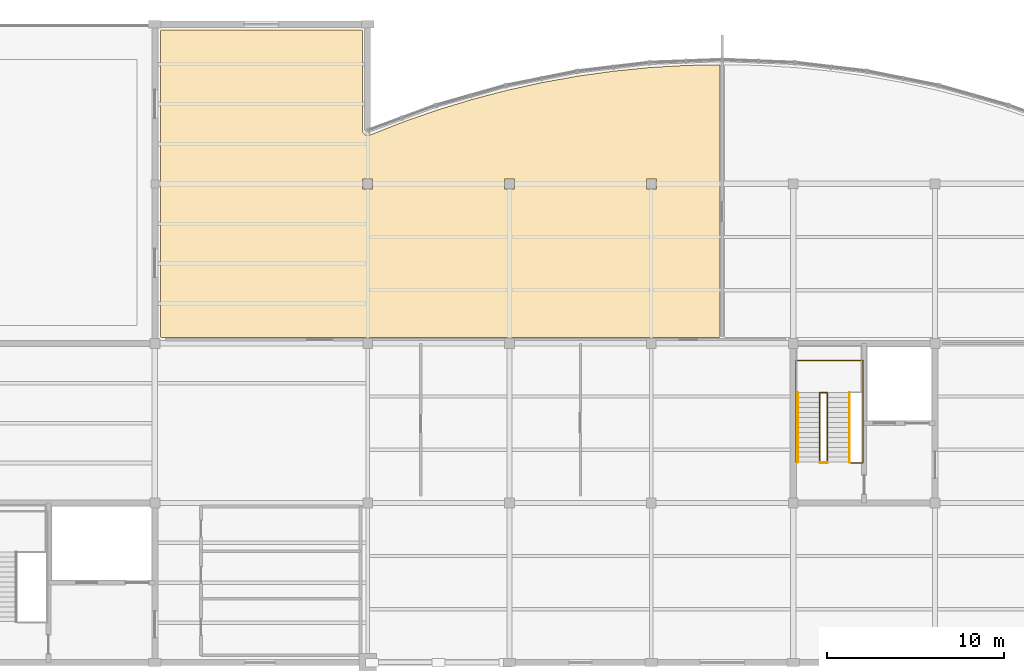
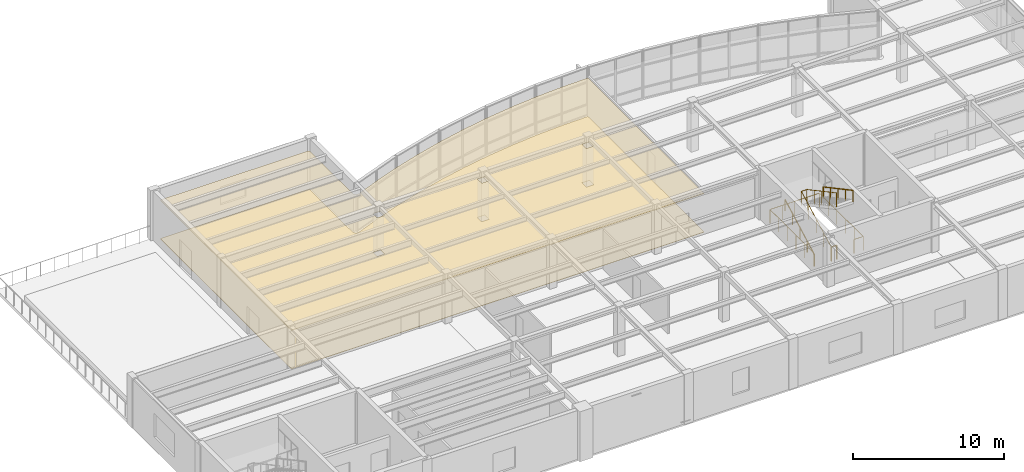
# One storey, part 11 of 12: 5 railings, 2 coverings.
"""IFC4 building model written with IfcOpenShell, lengths in metres."""

from ifc_helpers import new_model, si_unit, direction, frame, origin, origin_2d, place, context, subcontext, project, spatial, polyline, circle, outline, extrude, material, layer, layer_set, type_object, element, save


model = new_model("IFC4")

# Units and contexts
model_context = context("Model", 3, precision=1e-05, world=origin(), true_north=direction((0.0, 1.0)))
body_context = subcontext(model_context, "Body", "Model", "MODEL_VIEW")
ifc_project = project(units=[si_unit("LENGTHUNIT", "METRE"), si_unit("AREAUNIT", "SQUARE_METRE"), si_unit("VOLUMEUNIT", "CUBIC_METRE"), si_unit("PLANEANGLEUNIT", "RADIAN"), si_unit("MASSUNIT", "GRAM", prefix="KILO")], contexts=[model_context])

# Site, building, storey
site_placement = place(None, origin())
site = spatial("IfcSite", under=ifc_project, at=site_placement, CompositionType="ELEMENT")
building_placement = place(site_placement, origin())
building = spatial("IfcBuilding", under=site, at=building_placement, Name="Keelwater Ferry Terminal", CompositionType="ELEMENT")
storey_placement = place(building_placement, frame((0.0, 0.0, 19.5)))
storey = spatial("IfcBuildingStorey", under=building, at=storey_placement, Name="L04", CompositionType="ELEMENT", Elevation=19.5)

# Coverings
ifc_material_1 = material(Name="Perforated acoustic gypsum board ceiling", Category="gypsum")
ifc_layer_1 = layer(ifc_material_1, 0.044921875)
ifc_layer_set_1 = layer_set([ifc_layer_1], Name="Perforated acoustic gypsum board ceiling")
covering_type_1 = type_object("IfcCoveringType", Name="CL-AC Acoustic Baffle Ceiling", PredefinedType="CEILING", material=ifc_layer_set_1)
covering_1_placement = place(storey_placement, frame((0.0, 0.0, 3.10009765625)))
element("IfcCovering", 1, at=covering_1_placement, inside=storey, type_object=covering_type_1, Name="Maritime Operations Centre Acoustic Ceiling", PredefinedType="CEILING", context=body_context, shape_type="SweptSolid", body=[
    extrude(outline(polyline([(131.656005859375, 125.677978515625), (131.6630859375, 125.677001953125), (131.6708984375, 125.674072265625), (131.677978515625, 125.6708984375), (131.68408203125, 125.6669921875), (131.69091796875, 125.662109375), (131.697021484375, 125.656982421875), (131.701904296875, 125.65087890625), (131.70703125, 125.64404296875), (131.7109375, 125.637939453125), (131.714111328125, 125.631103515625), (131.717041015625, 125.623046875), (131.718017578125, 125.615966796875), (131.719970703125, 125.60791015625), (131.719970703125, 125.60009765625), (131.719970703125, 125.60009765625), (131.719970703125, 120.0), (131.720947265625, 119.972900390625), (131.72509765625, 119.946044921875), (131.73193359375, 119.9189453125), (131.740966796875, 119.89404296875), (131.751953125, 119.868896484375), (131.76611328125, 119.845947265625), (131.781982421875, 119.823974609375), (131.801025390625, 119.802978515625), (131.821044921875, 119.784912109375), (131.841064453125, 119.77001953125), (131.842041015625, 119.76904296875), (131.843994140625, 119.76806640625), (131.865966796875, 119.75390625), (131.889892578125, 119.741943359375), (131.916015625, 119.73291015625), (131.94189453125, 119.72607421875), (131.968994140625, 119.721923828125), (131.99609375, 119.719970703125), (132.02294921875, 119.720947265625), (132.050048828125, 119.72509765625), (132.076904296875, 119.73095703125), (132.10302734375, 119.739013671875), (132.10791015625, 119.740966796875), (132.10791015625, 119.741943359375), (134.006103515625, 120.488037109375), (134.009033203125, 120.489990234375), (135.195068359375, 120.904052734375), (135.93505859375, 121.162109375), (137.887939453125, 121.758056640625), (139.863037109375, 122.27587890625), (141.736083984375, 122.68896484375), (141.85595703125, 122.715087890625), (141.85791015625, 122.716064453125), (141.89111328125, 122.720947265625), (143.864990234375, 123.075927734375), (143.867919921875, 123.075927734375), (145.887939453125, 123.35693359375), (145.89111328125, 123.35791015625), (147.91796875, 123.55908203125), (147.9208984375, 123.55908203125), (149.95703125, 123.678955078125), (149.9599609375, 123.678955078125), (151.345947265625, 123.70703125), (151.800048828125, 123.716064453125), (151.805908203125, 123.716064453125), (151.81396484375, 123.715087890625), (151.822021484375, 123.712890625), (151.8291015625, 123.7099609375), (151.8369140625, 123.70703125), (151.843994140625, 123.702880859375), (151.85009765625, 123.697998046875), (151.85595703125, 123.693115234375), (151.861083984375, 123.68701171875), (151.865966796875, 123.680908203125), (151.8701171875, 123.674072265625), (151.8740234375, 123.6669921875), (151.8759765625, 123.659912109375), (151.8779296875, 123.652099609375), (151.8798828125, 123.64404296875), (151.8798828125, 123.635986328125), (151.8798828125, 108.39990234375), (151.8798828125, 108.39208984375), (151.8779296875, 108.384033203125), (151.876953125, 108.376953125), (151.8740234375, 108.368896484375), (151.87109375, 108.362060546875), (151.866943359375, 108.35595703125), (151.862060546875, 108.34912109375), (151.85693359375, 108.343017578125), (151.85107421875, 108.337890625), (151.843994140625, 108.3330078125), (151.837890625, 108.3291015625), (151.8310546875, 108.325927734375), (151.822998046875, 108.322998046875), (151.81591796875, 108.322021484375), (151.80810546875, 108.320068359375), (151.800048828125, 108.320068359375), (120.39990234375, 108.320068359375), (120.39208984375, 108.320068359375), (120.384033203125, 108.322021484375), (120.376953125, 108.322998046875), (120.368896484375, 108.325927734375), (120.362060546875, 108.3291015625), (120.35595703125, 108.3330078125), (120.34912109375, 108.337890625), (120.343017578125, 108.343017578125), (120.337890625, 108.34912109375), (120.3330078125, 108.35595703125), (120.3291015625, 108.362060546875), (120.325927734375, 108.368896484375), (120.322998046875, 108.376953125), (120.322021484375, 108.384033203125), (120.320068359375, 108.39208984375), (120.320068359375, 108.39990234375), (120.320068359375, 125.60009765625), (120.320068359375, 125.60791015625), (120.322021484375, 125.615966796875), (120.322998046875, 125.623046875), (120.325927734375, 125.631103515625), (120.3291015625, 125.637939453125), (120.3330078125, 125.64404296875), (120.337890625, 125.65087890625), (120.343017578125, 125.656982421875), (120.34912109375, 125.662109375), (120.35595703125, 125.6669921875), (120.362060546875, 125.6708984375), (120.368896484375, 125.674072265625), (120.376953125, 125.677001953125), (120.384033203125, 125.677978515625), (120.39208984375, 125.679931640625), (120.39990234375, 125.679931640625), (131.639892578125, 125.679931640625), (131.64794921875, 125.679931640625), (131.656005859375, 125.677978515625)]), holes=[polyline([(132.284912109375, 116.715087890625), (132.284912109375, 117.284912109375), (131.715087890625, 117.284912109375), (131.715087890625, 116.715087890625), (132.284912109375, 116.715087890625)]), polyline([(139.715087890625, 116.715087890625), (140.284912109375, 116.715087890625), (140.284912109375, 117.284912109375), (139.715087890625, 117.284912109375), (139.715087890625, 116.715087890625)]), polyline([(147.715087890625, 116.715087890625), (148.284912109375, 116.715087890625), (148.284912109375, 117.284912109375), (147.715087890625, 117.284912109375), (147.715087890625, 116.715087890625)])]), origin(), (0.0, 0.0, 1.0), 0.044921875),
])
ifc_material_2 = material(Name="Polished mineral terrazzo tile", Category="stone")
ifc_layer_2 = layer(ifc_material_2, 0.030029296875)
ifc_layer_set_2 = layer_set([ifc_layer_2], Name="Polished mineral terrazzo tile")
covering_type_2 = type_object("IfcCoveringType", Name="FL-TZ Marine Terrazzo Flooring", PredefinedType="FLOORING", material=ifc_layer_set_2)
covering_2_placement = place(storey_placement, origin())
element("IfcCovering", 2, at=covering_2_placement, inside=storey, type_object=covering_type_2, Name="Maritime Operations Centre Terrazzo Floor", PredefinedType="FLOORING", context=body_context, shape_type="SweptSolid", body=[
    extrude(outline(polyline([(131.656005859375, 125.677978515625), (131.6630859375, 125.677001953125), (131.6708984375, 125.674072265625), (131.677978515625, 125.6708984375), (131.68408203125, 125.6669921875), (131.69091796875, 125.662109375), (131.697021484375, 125.656982421875), (131.701904296875, 125.65087890625), (131.70703125, 125.64404296875), (131.7109375, 125.637939453125), (131.714111328125, 125.631103515625), (131.717041015625, 125.623046875), (131.718017578125, 125.615966796875), (131.719970703125, 125.60791015625), (131.719970703125, 125.60009765625), (131.719970703125, 125.60009765625), (131.719970703125, 120.0), (131.720947265625, 119.972900390625), (131.72509765625, 119.946044921875), (131.73193359375, 119.9189453125), (131.740966796875, 119.89404296875), (131.751953125, 119.868896484375), (131.76611328125, 119.845947265625), (131.781982421875, 119.823974609375), (131.801025390625, 119.802978515625), (131.821044921875, 119.784912109375), (131.841064453125, 119.77001953125), (131.842041015625, 119.76904296875), (131.843994140625, 119.76806640625), (131.865966796875, 119.75390625), (131.889892578125, 119.741943359375), (131.916015625, 119.73291015625), (131.94189453125, 119.72607421875), (131.968994140625, 119.721923828125), (131.99609375, 119.719970703125), (132.02294921875, 119.720947265625), (132.050048828125, 119.72509765625), (132.076904296875, 119.73095703125), (132.10302734375, 119.739013671875), (132.10791015625, 119.740966796875), (132.10791015625, 119.741943359375), (134.006103515625, 120.488037109375), (134.009033203125, 120.489990234375), (135.195068359375, 120.904052734375), (135.93505859375, 121.162109375), (137.887939453125, 121.758056640625), (139.863037109375, 122.27587890625), (141.736083984375, 122.68896484375), (141.85595703125, 122.715087890625), (141.85791015625, 122.716064453125), (141.89111328125, 122.720947265625), (143.864990234375, 123.075927734375), (143.867919921875, 123.075927734375), (145.887939453125, 123.35693359375), (145.89111328125, 123.35791015625), (147.91796875, 123.55908203125), (147.9208984375, 123.55908203125), (149.95703125, 123.678955078125), (149.9599609375, 123.678955078125), (151.345947265625, 123.70703125), (151.800048828125, 123.716064453125), (151.805908203125, 123.716064453125), (151.81396484375, 123.715087890625), (151.822021484375, 123.712890625), (151.8291015625, 123.7099609375), (151.8369140625, 123.70703125), (151.843994140625, 123.702880859375), (151.85009765625, 123.697998046875), (151.85595703125, 123.693115234375), (151.861083984375, 123.68701171875), (151.865966796875, 123.680908203125), (151.8701171875, 123.674072265625), (151.8740234375, 123.6669921875), (151.8759765625, 123.659912109375), (151.8779296875, 123.652099609375), (151.8798828125, 123.64404296875), (151.8798828125, 123.635986328125), (151.8798828125, 108.39990234375), (151.8798828125, 108.39208984375), (151.8779296875, 108.384033203125), (151.876953125, 108.376953125), (151.8740234375, 108.368896484375), (151.87109375, 108.362060546875), (151.866943359375, 108.35595703125), (151.862060546875, 108.34912109375), (151.85693359375, 108.343017578125), (151.85107421875, 108.337890625), (151.843994140625, 108.3330078125), (151.837890625, 108.3291015625), (151.8310546875, 108.325927734375), (151.822998046875, 108.322998046875), (151.81591796875, 108.322021484375), (151.80810546875, 108.320068359375), (151.800048828125, 108.320068359375), (120.39990234375, 108.320068359375), (120.39208984375, 108.320068359375), (120.384033203125, 108.322021484375), (120.376953125, 108.322998046875), (120.368896484375, 108.325927734375), (120.362060546875, 108.3291015625), (120.35595703125, 108.3330078125), (120.34912109375, 108.337890625), (120.343017578125, 108.343017578125), (120.337890625, 108.34912109375), (120.3330078125, 108.35595703125), (120.3291015625, 108.362060546875), (120.325927734375, 108.368896484375), (120.322998046875, 108.376953125), (120.322021484375, 108.384033203125), (120.320068359375, 108.39208984375), (120.320068359375, 108.39990234375), (120.320068359375, 125.60009765625), (120.320068359375, 125.60791015625), (120.322021484375, 125.615966796875), (120.322998046875, 125.623046875), (120.325927734375, 125.631103515625), (120.3291015625, 125.637939453125), (120.3330078125, 125.64404296875), (120.337890625, 125.65087890625), (120.343017578125, 125.656982421875), (120.34912109375, 125.662109375), (120.35595703125, 125.6669921875), (120.362060546875, 125.6708984375), (120.368896484375, 125.674072265625), (120.376953125, 125.677001953125), (120.384033203125, 125.677978515625), (120.39208984375, 125.679931640625), (120.39990234375, 125.679931640625), (131.639892578125, 125.679931640625), (131.64794921875, 125.679931640625), (131.656005859375, 125.677978515625)]), holes=[polyline([(132.284912109375, 116.715087890625), (132.284912109375, 117.284912109375), (131.715087890625, 117.284912109375), (131.715087890625, 116.715087890625), (132.284912109375, 116.715087890625)]), polyline([(139.715087890625, 116.715087890625), (140.284912109375, 116.715087890625), (140.284912109375, 117.284912109375), (139.715087890625, 117.284912109375), (139.715087890625, 116.715087890625)]), polyline([(147.715087890625, 116.715087890625), (148.284912109375, 116.715087890625), (148.284912109375, 117.284912109375), (147.715087890625, 117.284912109375), (147.715087890625, 116.715087890625)])]), origin(), (0.0, 0.0, 1.0), 0.030029296875),
])

# Railings
ifc_material_3 = material(Name="Painted Steel S355", Category="steel")
railing_type_1 = type_object("IfcRailingType", Name="GR-115 Stair Well Guardrail", PredefinedType="GUARDRAIL", material=ifc_material_3)
railing_1_placement = place(storey_placement, frame((157.510009765625, 101.260009765625, 0.0)))
element("IfcRailing", 3, at=railing_1_placement, inside=storey, type_object=railing_type_1, Name="Stair ST-C3-L03 Slot Threshold Guard 63", PredefinedType="GUARDRAIL", context=body_context, shape_type="SweptSolid", body=[
    extrude(circle(Radius=0.02392578125, at=origin_2d()), frame((0.0, 0.0, 1.1259765625), z_axis=(1.0, 0.0, 0.0), x_axis=(0.0, 1.0, 0.0)), (0.0, 0.0, 1.0), 0.419921875),
    extrude(circle(Radius=0.02099609375, at=origin_2d()), origin(), (0.0, 0.0, 1.0), 1.101806640625),
    extrude(circle(Radius=0.02099609375, at=origin_2d()), frame((0.419921875, 0.0, 0.0)), (0.0, 0.0, 1.0), 1.101806640625),
])
railing_2_placement = place(storey_placement, frame((156.159912109375, 101.300048828125, 0.0)))
element("IfcRailing", 4, at=railing_2_placement, inside=storey, type_object=railing_type_1, Name="Stair ST-C3-L03 Shaft Perimeter Guard 64", PredefinedType="GUARDRAIL", context=body_context, shape_type="SweptSolid", body=[
    extrude(circle(Radius=0.02392578125, at=origin_2d()), frame((0.0, 0.0, 1.1259765625), z_axis=(0.0, 1.0, 0.0), x_axis=(-1.0, 0.0, 0.0)), (0.0, 0.0, 1.0), 5.739990234375),
    extrude(circle(Radius=0.02392578125, at=origin_2d()), frame((0.0, 5.739990234375, 1.1259765625), z_axis=(1.0, 0.0, 0.0), x_axis=(0.0, 1.0, 0.0)), (0.0, 0.0, 1.0), 3.780029296875),
    extrude(circle(Radius=0.02392578125, at=origin_2d()), frame((3.780029296875, 5.739990234375, 1.1259765625), z_axis=(0.0, -1.0, 0.0), x_axis=(1.0, 0.0, 0.0)), (0.0, 0.0, 1.0), 5.780029296875),
    extrude(circle(Radius=0.02392578125, at=origin_2d()), frame((3.780029296875, -0.0400390625, 1.1259765625), z_axis=(-1.0, 0.0, 0.0), x_axis=(0.0, -1.0, 0.0)), (0.0, 0.0, 1.0), 0.699951171875),
    extrude(circle(Radius=0.02099609375, at=origin_2d()), origin(), (0.0, 0.0, 1.0), 1.101806640625),
    extrude(circle(Radius=0.02099609375, at=origin_2d()), frame((0.0, 1.14794921875, 0.0)), (0.0, 0.0, 1.0), 1.101806640625),
    extrude(circle(Radius=0.02099609375, at=origin_2d()), frame((0.0, 2.2958984375, 0.0)), (0.0, 0.0, 1.0), 1.101806640625),
    extrude(circle(Radius=0.02099609375, at=origin_2d()), frame((0.0, 3.444091796875, 0.0)), (0.0, 0.0, 1.0), 1.101806640625),
    extrude(circle(Radius=0.02099609375, at=origin_2d()), frame((0.0, 4.592041015625, 0.0)), (0.0, 0.0, 1.0), 1.101806640625),
    extrude(circle(Radius=0.02099609375, at=origin_2d()), frame((0.0, 5.739990234375, 0.0)), (0.0, 0.0, 1.0), 1.101806640625),
    extrude(circle(Radius=0.02099609375, at=origin_2d()), frame((0.945068359375, 5.739990234375, 0.0)), (0.0, 0.0, 1.0), 1.101806640625),
    extrude(circle(Radius=0.02099609375, at=origin_2d()), frame((1.89013671875, 5.739990234375, 0.0)), (0.0, 0.0, 1.0), 1.101806640625),
    extrude(circle(Radius=0.02099609375, at=origin_2d()), frame((2.8349609375, 5.739990234375, 0.0)), (0.0, 0.0, 1.0), 1.101806640625),
    extrude(circle(Radius=0.02099609375, at=origin_2d()), frame((3.780029296875, 5.739990234375, 0.0)), (0.0, 0.0, 1.0), 1.101806640625),
    extrude(circle(Radius=0.02099609375, at=origin_2d()), frame((3.780029296875, 4.583984375, 0.0)), (0.0, 0.0, 1.0), 1.101806640625),
    extrude(circle(Radius=0.02099609375, at=origin_2d()), frame((3.780029296875, 3.427978515625, 0.0)), (0.0, 0.0, 1.0), 1.101806640625),
    extrude(circle(Radius=0.02099609375, at=origin_2d()), frame((3.780029296875, 2.27197265625, 0.0)), (0.0, 0.0, 1.0), 1.101806640625),
    extrude(circle(Radius=0.02099609375, at=origin_2d()), frame((3.780029296875, 1.115966796875, 0.0)), (0.0, 0.0, 1.0), 1.101806640625),
    extrude(circle(Radius=0.02099609375, at=origin_2d()), frame((3.780029296875, -0.0400390625, 0.0)), (0.0, 0.0, 1.0), 1.101806640625),
    extrude(circle(Radius=0.02099609375, at=origin_2d()), frame((3.080078125, -0.0400390625, 0.0)), (0.0, 0.0, 1.0), 1.101806640625),
])
railing_3_placement = place(storey_placement, frame((157.510009765625, 101.300048828125, 0.0)))
element("IfcRailing", 5, at=railing_3_placement, inside=storey, type_object=railing_type_1, Name="Stair ST-C3-L04 Inner Well Guard 65", PredefinedType="GUARDRAIL", context=body_context, shape_type="SweptSolid", body=[
    extrude(circle(Radius=0.02392578125, at=origin_2d()), frame((0.0, 0.0, 1.1259765625), z_axis=(0.0, 0.881466911329, 0.472245787945), x_axis=(-1.0, 0.0, 0.0)), (0.0, 0.0, 1.0), 4.447021484375),
    extrude(circle(Radius=0.02392578125, at=origin_2d()), frame((0.0, 3.919921875, 3.22607421875), z_axis=(1.0, 0.0, 0.0), x_axis=(0.0, 1.0, 0.0)), (0.0, 0.0, 1.0), 0.419921875),
    extrude(circle(Radius=0.02392578125, at=origin_2d()), frame((0.419921875, 3.919921875, 3.22607421875), z_axis=(0.0, -0.881489763865, 0.472203130232), x_axis=(1.0, 0.0, 0.0)), (0.0, 0.0, 1.0), 4.447021484375),
    extrude(circle(Radius=0.02099609375, at=origin_2d()), origin(), (0.0, 0.0, 1.0), 1.101806640625),
    extrude(circle(Radius=0.02099609375, at=origin_2d()), frame((0.0, 0.97998046875, 0.52490234375)), (0.0, 0.0, 1.0), 1.101806640625),
    extrude(circle(Radius=0.02099609375, at=origin_2d()), frame((0.0, 1.9599609375, 1.050048828125)), (0.0, 0.0, 1.0), 1.101806640625),
    extrude(circle(Radius=0.02099609375, at=origin_2d()), frame((0.0, 2.93994140625, 1.5751953125)), (0.0, 0.0, 1.0), 1.101806640625),
    extrude(circle(Radius=0.02099609375, at=origin_2d()), frame((0.0, 3.919921875, 2.10009765625)), (0.0, 0.0, 1.0), 1.101806640625),
    extrude(circle(Radius=0.02099609375, at=origin_2d()), frame((0.419921875, 3.919921875, 2.10009765625)), (0.0, 0.0, 1.0), 1.101806640625),
    extrude(circle(Radius=0.02099609375, at=origin_2d()), frame((0.419921875, 2.93994140625, 2.625)), (0.0, 0.0, 1.0), 1.101806640625),
    extrude(circle(Radius=0.02099609375, at=origin_2d()), frame((0.419921875, 1.9599609375, 3.14990234375)), (0.0, 0.0, 1.0), 1.101806640625),
    extrude(circle(Radius=0.02099609375, at=origin_2d()), frame((0.419921875, 0.97998046875, 3.675048828125)), (0.0, 0.0, 1.0), 1.101806640625),
    extrude(circle(Radius=0.02099609375, at=origin_2d()), frame((0.419921875, 0.0, 4.199951171875)), (0.0, 0.0, 1.0), 1.101806640625),
])
ifc_material_4 = material(Name="Brushed stainless steel handrail", Category="steel")
railing_type_2 = type_object("IfcRailingType", Name="HR-920 Stair Pitch Handrail", PredefinedType="HANDRAIL", material=ifc_material_4)
railing_4_placement = place(storey_placement, frame((156.260009765625, 101.300048828125, 0.0)))
element("IfcRailing", 6, at=railing_4_placement, inside=storey, type_object=railing_type_2, Name="Stair ST-C3-L04 Flight 1 Handrail 67", PredefinedType="HANDRAIL", context=body_context, shape_type="SweptSolid", body=[
    extrude(circle(Radius=0.02392578125, at=origin_2d()), frame((0.0, 0.0, 0.89599609375), z_axis=(0.0, 0.881466911329, 0.472245787945), x_axis=(-1.0, 0.0, 0.0)), (0.0, 0.0, 1.0), 4.447021484375),
    extrude(circle(Radius=0.02099609375, at=origin_2d()), origin(), (0.0, 0.0, 1.0), 0.871826171875),
    extrude(circle(Radius=0.02099609375, at=origin_2d()), frame((0.0, 0.97998046875, 0.52490234375)), (0.0, 0.0, 1.0), 0.871826171875),
    extrude(circle(Radius=0.02099609375, at=origin_2d()), frame((0.0, 1.9599609375, 1.050048828125)), (0.0, 0.0, 1.0), 0.871826171875),
    extrude(circle(Radius=0.02099609375, at=origin_2d()), frame((0.0, 2.93994140625, 1.5751953125)), (0.0, 0.0, 1.0), 0.871826171875),
    extrude(circle(Radius=0.02099609375, at=origin_2d()), frame((0.0, 3.919921875, 2.10009765625)), (0.0, 0.0, 1.0), 0.871826171875),
])
railing_5_placement = place(storey_placement, frame((159.179931640625, 105.219970703125, 2.10009765625)))
element("IfcRailing", 7, at=railing_5_placement, inside=storey, type_object=railing_type_2, Name="Stair ST-C3-L04 Flight 2 Handrail 68", PredefinedType="HANDRAIL", context=body_context, shape_type="SweptSolid", body=[
    extrude(circle(Radius=0.02392578125, at=origin_2d()), frame((0.0, 0.0, 0.89599609375), z_axis=(0.0, -0.881489763865, 0.472203130232), x_axis=(1.0, 0.0, 0.0)), (0.0, 0.0, 1.0), 4.447021484375),
    extrude(circle(Radius=0.02099609375, at=origin_2d()), origin(), (0.0, 0.0, 1.0), 0.871826171875),
    extrude(circle(Radius=0.02099609375, at=origin_2d()), frame((0.0, -0.97998046875, 0.52490234375)), (0.0, 0.0, 1.0), 0.871826171875),
    extrude(circle(Radius=0.02099609375, at=origin_2d()), frame((0.0, -1.9599609375, 1.0498046875)), (0.0, 0.0, 1.0), 0.871826171875),
    extrude(circle(Radius=0.02099609375, at=origin_2d()), frame((0.0, -2.93994140625, 1.574951171875)), (0.0, 0.0, 1.0), 0.871826171875),
    extrude(circle(Radius=0.02099609375, at=origin_2d()), frame((0.0, -3.919921875, 2.099853515625)), (0.0, 0.0, 1.0), 0.871826171875),
])

save(model, "model.ifc")
